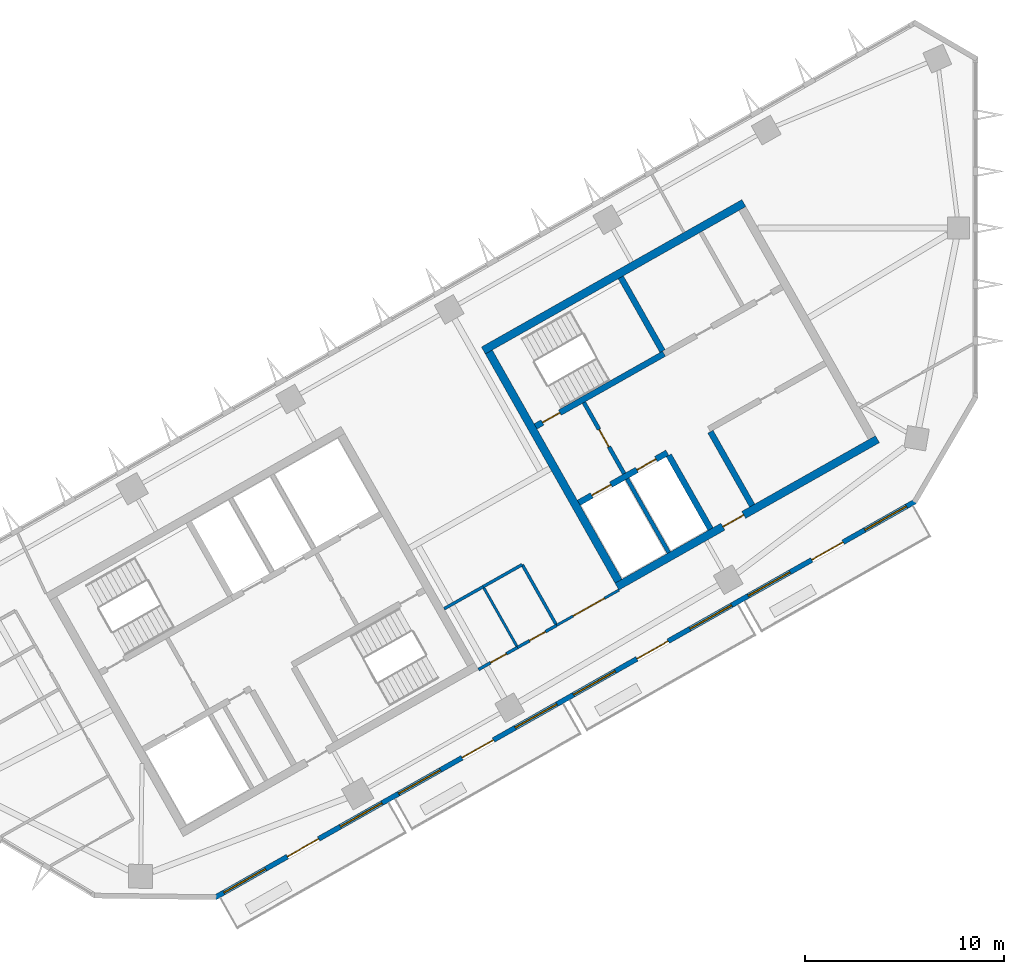
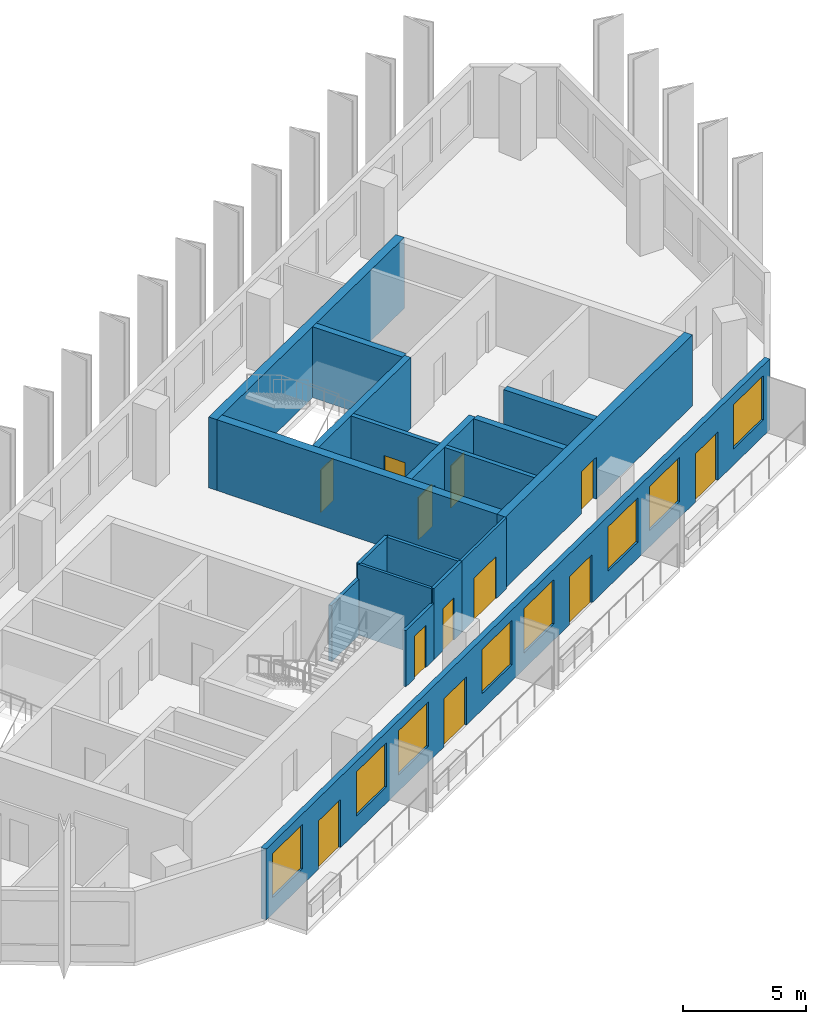
# One storey, part 4 of 8: 18 walls, 12 doors, 8 windows, 20 openings.
"""IFC4 building model written with IfcOpenShell, lengths in metres."""

from ifc_helpers import new_model, si_unit, direction, frame, frame_2d, origin, place, context, subcontext, project, spatial, rectangle, extrude, material, layer, layer_set, type_object, element, fill, save


model = new_model("IFC4")

# Units and contexts
model_context = context("Model", 3, precision=1e-05, world=origin(), true_north=direction((0.0, 1.0)))
body_context = subcontext(model_context, "Body", "Model", "MODEL_VIEW")
ifc_project = project(units=[si_unit("LENGTHUNIT", "METRE"), si_unit("AREAUNIT", "SQUARE_METRE"), si_unit("VOLUMEUNIT", "CUBIC_METRE"), si_unit("PLANEANGLEUNIT", "RADIAN"), si_unit("MASSUNIT", "GRAM", prefix="KILO")], contexts=[model_context])

# Site, building, storey
site_placement = place(None, origin())
site = spatial("IfcSite", under=ifc_project, at=site_placement, CompositionType="ELEMENT")
building_placement = place(site_placement, origin())
building = spatial("IfcBuilding", under=site, at=building_placement, Name="Binnacle Exchange Tower", CompositionType="ELEMENT")
storey_placement = place(building_placement, frame((0.0, 0.0, 300.699951171875)))
storey = spatial("IfcBuildingStorey", under=building, at=storey_placement, Name="L67", CompositionType="ELEMENT", Elevation=300.699951171875)

# Wall, openings, doors
ifc_material_1 = material(Name="Concrete C70/85", Category="concrete")
ifc_layer_1 = layer(ifc_material_1, 0.300048828125)
ifc_layer_set_1 = layer_set([ifc_layer_1], Name="Core wall - front 300")
wall_type_1 = type_object("IfcWallType", Name="Core wall - front 300", PredefinedType="SOLIDWALL", material=ifc_layer_set_1)
wall_1_placement = place(storey_placement, frame((-19.89208984375, 46.2177734375, 0.0), z_axis=(0.0, 0.0, 1.0), x_axis=(0.870341639186, 0.492448404505, 0.0)))
wall_1 = element("IfcWall", 1, at=wall_1_placement, inside=storey, type_object=wall_type_1, Name="Core wall CRWC2", PredefinedType="SOLIDWALL", context=body_context, shape_type="SweptSolid", body=[
    extrude(rectangle(XDim=5.099853515625, YDim=0.300048828125, at=frame_2d((2.5498046875, 0.0))), origin(), (0.0, 0.0, 1.0), 3.52001953125),
])
opening_1_placement = place(wall_1_placement, frame((0.75, 0.0, 0.0)))
opening_1 = element("IfcOpeningElement", 2, at=opening_1_placement, cuts=wall_1, Name="Opening LD14", PredefinedType="OPENING", context=body_context, shape_type="SweptSolid", body=[
    extrude(rectangle(XDim=1.10009765625, YDim=2.10009765625, at=frame_2d((0.550048828125, 1.050048828125))), frame((0.0, 0.159912109375, 0.0), z_axis=(0.0, -1.0, 0.0), x_axis=(1.0, 0.0, 0.0)), (0.0, 0.0, 1.0), 0.320068359375),
])
opening_2_placement = place(wall_1_placement, frame((3.35009765625, 0.0, 0.0)))
opening_2 = element("IfcOpeningElement", 3, at=opening_2_placement, cuts=wall_1, Name="Opening LD11", PredefinedType="OPENING", context=body_context, shape_type="SweptSolid", body=[
    extrude(rectangle(XDim=1.10009765625, YDim=2.10009765625, at=frame_2d((0.550048828125, 1.050048828125))), frame((0.0, 0.159912109375, 0.0), z_axis=(0.0, -1.0, 0.0), x_axis=(1.0, 0.0, 0.0)), (0.0, 0.0, 1.0), 0.320068359375),
])
ifc_material_2 = material(Name="Steel door leaf", Category="steel")
door_type_1 = type_object("IfcDoorType", Name="Fire door - lift landing 1100", OperationType="NOTDEFINED", PredefinedType="DOOR", material=ifc_material_2)
door_1_placement = place(opening_1_placement, origin())
door_1 = element("IfcDoor", 4, at=door_1_placement, inside=storey, type_object=door_type_1, Name="Landing door LD14 L67", OperationType="DOUBLE_DOOR_SLIDING", OverallHeight=2.10009765625, OverallWidth=1.10009765625, PredefinedType="DOOR", context=body_context, shape_type="SweptSolid", body=[
    extrude(rectangle(XDim=1.10009765625, YDim=2.10009765625, at=frame_2d((0.550048828125, 1.050048828125))), frame((0.0, 0.02490234375, 0.0), z_axis=(0.0, -1.0, 0.0), x_axis=(1.0, 0.0, 0.0)), (0.0, 0.0, 1.0), 0.050048828125),
])
fill(opening_1, door_1)
door_2_placement = place(opening_2_placement, origin())
door_2 = element("IfcDoor", 5, at=door_2_placement, inside=storey, type_object=door_type_1, Name="Landing door LD11 L67", OperationType="DOUBLE_DOOR_SLIDING", OverallHeight=2.10009765625, OverallWidth=1.10009765625, PredefinedType="DOOR", context=body_context, shape_type="SweptSolid", body=[
    extrude(rectangle(XDim=1.10009765625, YDim=2.10009765625, at=frame_2d((0.550048828125, 1.050048828125))), frame((0.0, 0.02490234375, 0.0), z_axis=(0.0, -1.0, 0.0), x_axis=(1.0, 0.0, 0.0)), (0.0, 0.0, 1.0), 0.050048828125),
])
fill(opening_2, door_2)

# Walls
wall_2_placement = place(storey_placement, frame((-15.37939453125, 48.5986328125, 0.0), z_axis=(0.0, 0.0, 1.0), x_axis=(0.492422543467, -0.870356271124, 0.0)))
element("IfcWall", 6, at=wall_2_placement, inside=storey, type_object=wall_type_1, Name="Core wall CRWC13", PredefinedType="SOLIDWALL", context=body_context, shape_type="SweptSolid", body=[
    extrude(rectangle(XDim=4.25, YDim=0.300048828125, at=frame_2d((2.125, 0.0))), origin(), (0.0, 0.0, 1.0), 3.52001953125),
])
wall_3_placement = place(storey_placement, frame((-13.29052734375, 49.780517578125, 0.0), z_axis=(0.0, 0.0, 1.0), x_axis=(0.492397924348, -0.870370199454, 0.0)))
element("IfcWall", 7, at=wall_3_placement, inside=storey, type_object=wall_type_1, Name="Core wall CRWC15", PredefinedType="SOLIDWALL", context=body_context, shape_type="SweptSolid", body=[
    extrude(rectangle(XDim=4.250244140625, YDim=0.300048828125, at=frame_2d((2.125, 0.0))), origin(), (0.0, 0.0, 1.0), 3.52001953125),
])

# Wall, opening, door
ifc_layer_2 = layer(ifc_material_1, 0.39990234375)
ifc_layer_set_2 = layer_set([ifc_layer_2], Name="Core wall - outer 400")
wall_type_2 = type_object("IfcWallType", Name="Core wall - outer 400", PredefinedType="SOLIDWALL", material=ifc_layer_set_2)
wall_4_placement = place(storey_placement, frame((-17.97509765625, 42.01708984375, 0.0), z_axis=(0.0, 0.0, 1.0), x_axis=(0.87034965173, 0.492434243055, 0.0)))
wall_4 = element("IfcWall", 8, at=wall_4_placement, inside=storey, type_object=wall_type_2, Name="Core wall CRWC1", PredefinedType="SOLIDWALL", context=body_context, shape_type="SweptSolid", body=[
    extrude(rectangle(XDim=15.0, YDim=0.39990234375, at=frame_2d((7.5, 0.0))), origin(), (0.0, 0.0, 1.0), 3.52001953125),
])
opening_3_placement = place(wall_4_placement, frame((6.10009765625, 0.0, 0.0)))
opening_3 = element("IfcOpeningElement", 9, at=opening_3_placement, cuts=wall_4, Name="Opening DC7", PredefinedType="OPENING", context=body_context, shape_type="SweptSolid", body=[
    extrude(rectangle(XDim=1.199951171875, YDim=2.10009765625, at=frame_2d((0.60009765625, 1.050048828125))), frame((0.0, 0.2099609375, 0.0), z_axis=(0.0, -1.0, 0.0), x_axis=(1.0, 0.0, 0.0)), (0.0, 0.0, 1.0), 0.419921875),
])
door_type_2 = type_object("IfcDoorType", Name="Fire door 1200", OperationType="NOTDEFINED", PredefinedType="DOOR", material=ifc_material_2)
door_3_placement = place(opening_3_placement, frame((1.199951171875, 0.0, 0.0), z_axis=(0.0, 0.0, 1.0), x_axis=(-1.0, 0.0, 0.0)))
door_3 = element("IfcDoor", 10, at=door_3_placement, inside=storey, type_object=door_type_2, Name="Lift lobby entrance door core C", OperationType="SINGLE_SWING_RIGHT", OverallHeight=2.10009765625, OverallWidth=1.199951171875, PredefinedType="DOOR", context=body_context, shape_type="SweptSolid", body=[
    extrude(rectangle(XDim=1.199951171875, YDim=2.10009765625, at=frame_2d((0.60009765625, 1.050048828125))), frame((0.0, 0.02490234375, 0.0), z_axis=(0.0, -1.0, 0.0), x_axis=(1.0, 0.0, 0.0)), (0.0, 0.0, 1.0), 0.050048828125),
])
fill(opening_3, door_3)

# Walls
wall_5_placement = place(storey_placement, frame((-24.672119140625, 53.85400390625, 0.0), z_axis=(0.0, 0.0, 1.0), x_axis=(0.870353598469, 0.492427267353, 0.0)))
element("IfcWall", 11, at=wall_5_placement, inside=storey, type_object=wall_type_2, Name="Core wall CRWC6", PredefinedType="SOLIDWALL", context=body_context, shape_type="SweptSolid", body=[
    extrude(rectangle(XDim=15.000244140625, YDim=0.39990234375, at=frame_2d((7.5, 0.0))), origin(), (0.0, 0.0, 1.0), 3.52001953125),
])
wall_6_placement = place(storey_placement, frame((-24.399658203125, 53.778564453125, 0.0), z_axis=(0.0, 0.0, 1.0), x_axis=(0.492421663121, -0.870356769198, 0.0)))
element("IfcWall", 12, at=wall_6_placement, inside=storey, type_object=wall_type_2, Name="Core wall CRWC7", PredefinedType="SOLIDWALL", context=body_context, shape_type="SweptSolid", body=[
    extrude(rectangle(XDim=13.199951171875, YDim=0.39990234375, at=frame_2d((6.60009765625, 0.0))), origin(), (0.0, 0.0, 1.0), 3.52001953125),
])

# Wall, opening, door
ifc_layer_3 = layer(ifc_material_1, 0.300048828125)
ifc_layer_set_3 = layer_set([ifc_layer_3], Name="Core wall - stair 300")
wall_type_3 = type_object("IfcWallType", Name="Core wall - stair 300", PredefinedType="SOLIDWALL", material=ifc_layer_set_3)
wall_7_placement = place(storey_placement, frame((-22.058837890625, 50.04736328125, 0.0), z_axis=(0.0, 0.0, 1.0), x_axis=(0.87035077051, 0.49243226567, 0.0)))
wall_7 = element("IfcWall", 13, at=wall_7_placement, inside=storey, type_object=wall_type_3, Name="Core wall CRWC4", PredefinedType="SOLIDWALL", context=body_context, shape_type="SweptSolid", body=[
    extrude(rectangle(XDim=7.400146484375, YDim=0.300048828125, at=frame_2d((3.7001953125, 0.0))), origin(), (0.0, 0.0, 1.0), 3.52001953125),
])
opening_4_placement = place(wall_7_placement, frame((0.39990234375, 0.0, 0.0)))
opening_4 = element("IfcOpeningElement", 14, at=opening_4_placement, cuts=wall_7, Name="Opening DC1", PredefinedType="OPENING", context=body_context, shape_type="SweptSolid", body=[
    extrude(rectangle(XDim=1.0, YDim=2.10009765625, at=frame_2d((0.5, 1.050048828125))), frame((0.0, 0.159912109375, 0.0), z_axis=(0.0, -1.0, 0.0), x_axis=(1.0, 0.0, 0.0)), (0.0, 0.0, 1.0), 0.320068359375),
])
door_type_3 = type_object("IfcDoorType", Name="Fire door 1000", OperationType="NOTDEFINED", PredefinedType="DOOR", material=ifc_material_2)
door_4_placement = place(opening_4_placement, origin())
door_4 = element("IfcDoor", 15, at=door_4_placement, inside=storey, type_object=door_type_3, Name="Stair door ST-C1", OperationType="SINGLE_SWING_LEFT", OverallHeight=2.10009765625, OverallWidth=1.0, PredefinedType="DOOR", context=body_context, shape_type="SweptSolid", body=[
    extrude(rectangle(XDim=1.0, YDim=2.10009765625, at=frame_2d((0.5, 1.050048828125))), frame((0.0, 0.02490234375, 0.0), z_axis=(0.0, -1.0, 0.0), x_axis=(1.0, 0.0, 0.0)), (0.0, 0.0, 1.0), 0.050048828125),
])
fill(opening_4, door_4)

# Wall
wall_8_placement = place(storey_placement, frame((-17.784912109375, 57.52099609375, 0.0), z_axis=(0.0, 0.0, 1.0), x_axis=(0.492422543467, -0.870356271124, 0.0)))
element("IfcWall", 16, at=wall_8_placement, inside=storey, type_object=wall_type_3, Name="Core wall CRWC14", PredefinedType="SOLIDWALL", context=body_context, shape_type="SweptSolid", body=[
    extrude(rectangle(XDim=4.25, YDim=0.300048828125, at=frame_2d((2.125, 0.0))), origin(), (0.0, 0.0, 1.0), 3.52001953125),
])

# Wall, openings, doors, windows
ifc_material_3 = material(Name="Bronze aluminium cladding", Category="aluminium")
ifc_layer_4 = layer(ifc_material_3, 0.25)
ifc_layer_set_4 = layer_set([ifc_layer_4], Name="External wall - window wall 250")
wall_type_4 = type_object("IfcWallType", Name="External wall - window wall 250", PredefinedType="STANDARD", material=ifc_layer_set_4)
wall_9_placement = place(storey_placement, frame((-3.016845703125, 46.293212890625, 0.0), z_axis=(0.0, 0.0, 1.0), x_axis=(-0.870355474887, -0.492423950812, 0.0)))
wall_9 = element("IfcWall", 17, at=wall_9_placement, inside=storey, type_object=wall_type_4, Name="External wall EW-H07 L67", PredefinedType="STANDARD", context=body_context, shape_type="SweptSolid", body=[
    extrude(rectangle(XDim=40.34033203125, YDim=0.25, at=frame_2d((20.170166015625, 0.0))), origin(), (0.0, 0.0, 1.0), 3.52001953125),
])
opening_5_placement = place(wall_9_placement, frame((37.428466796875, 0.0, 0.800048828125)))
opening_5 = element("IfcOpeningElement", 18, at=opening_5_placement, cuts=wall_9, Name="Opening WR2", PredefinedType="OPENING", context=body_context, shape_type="SweptSolid", body=[
    extrude(rectangle(XDim=2.39990234375, YDim=2.199951171875, at=frame_2d((1.199951171875, 1.10009765625))), frame((0.0, 0.135009765625, 0.0), z_axis=(0.0, -1.0, 0.0), x_axis=(1.0, 0.0, 0.0)), (0.0, 0.0, 1.0), 0.27001953125),
])
opening_6_placement = place(wall_9_placement, frame((34.372314453125, 0.0, 0.0)))
opening_6 = element("IfcOpeningElement", 19, at=opening_6_placement, cuts=wall_9, Name="Opening D-FS20-01", PredefinedType="OPENING", context=body_context, shape_type="SweptSolid", body=[
    extrude(rectangle(XDim=1.800048828125, YDim=2.39990234375, at=frame_2d((0.89990234375, 1.199951171875))), frame((0.0, 0.135009765625, 0.0), z_axis=(0.0, -1.0, 0.0), x_axis=(1.0, 0.0, 0.0)), (0.0, 0.0, 1.0), 0.27001953125),
])
opening_7_placement = place(wall_9_placement, frame((30.71630859375, 0.0, 0.800048828125)))
opening_7 = element("IfcOpeningElement", 20, at=opening_7_placement, cuts=wall_9, Name="Opening WR2", PredefinedType="OPENING", context=body_context, shape_type="SweptSolid", body=[
    extrude(rectangle(XDim=2.39990234375, YDim=2.199951171875, at=frame_2d((1.199951171875, 1.10009765625))), frame((0.0, 0.135009765625, 0.0), z_axis=(0.0, -1.0, 0.0), x_axis=(1.0, 0.0, 0.0)), (0.0, 0.0, 1.0), 0.27001953125),
])
opening_8_placement = place(wall_9_placement, frame((27.3603515625, 0.0, 0.800048828125)))
opening_8 = element("IfcOpeningElement", 21, at=opening_8_placement, cuts=wall_9, Name="Opening WR2", PredefinedType="OPENING", context=body_context, shape_type="SweptSolid", body=[
    extrude(rectangle(XDim=2.39990234375, YDim=2.199951171875, at=frame_2d((1.199951171875, 1.10009765625))), frame((0.0, 0.135009765625, 0.0), z_axis=(0.0, -1.0, 0.0), x_axis=(1.0, 0.0, 0.0)), (0.0, 0.0, 1.0), 0.27001953125),
])
opening_9_placement = place(wall_9_placement, frame((24.30419921875, 0.0, 0.0)))
opening_9 = element("IfcOpeningElement", 22, at=opening_9_placement, cuts=wall_9, Name="Opening D-FS20-02", PredefinedType="OPENING", context=body_context, shape_type="SweptSolid", body=[
    extrude(rectangle(XDim=1.800048828125, YDim=2.39990234375, at=frame_2d((0.89990234375, 1.199951171875))), frame((0.0, 0.135009765625, 0.0), z_axis=(0.0, -1.0, 0.0), x_axis=(1.0, 0.0, 0.0)), (0.0, 0.0, 1.0), 0.27001953125),
])
opening_10_placement = place(wall_9_placement, frame((20.648193359375, 0.0, 0.800048828125)))
opening_10 = element("IfcOpeningElement", 23, at=opening_10_placement, cuts=wall_9, Name="Opening WR2", PredefinedType="OPENING", context=body_context, shape_type="SweptSolid", body=[
    extrude(rectangle(XDim=2.39990234375, YDim=2.199951171875, at=frame_2d((1.199951171875, 1.10009765625))), frame((0.0, 0.135009765625, 0.0), z_axis=(0.0, -1.0, 0.0), x_axis=(1.0, 0.0, 0.0)), (0.0, 0.0, 1.0), 0.27001953125),
])
opening_11_placement = place(wall_9_placement, frame((17.2919921875, 0.0, 0.800048828125)))
opening_11 = element("IfcOpeningElement", 24, at=opening_11_placement, cuts=wall_9, Name="Opening WR2", PredefinedType="OPENING", context=body_context, shape_type="SweptSolid", body=[
    extrude(rectangle(XDim=2.39990234375, YDim=2.199951171875, at=frame_2d((1.199951171875, 1.10009765625))), frame((0.0, 0.135009765625, 0.0), z_axis=(0.0, -1.0, 0.0), x_axis=(1.0, 0.0, 0.0)), (0.0, 0.0, 1.0), 0.27001953125),
])
opening_12_placement = place(wall_9_placement, frame((14.236083984375, 0.0, 0.0)))
opening_12 = element("IfcOpeningElement", 25, at=opening_12_placement, cuts=wall_9, Name="Opening D-FS20-03", PredefinedType="OPENING", context=body_context, shape_type="SweptSolid", body=[
    extrude(rectangle(XDim=1.800048828125, YDim=2.39990234375, at=frame_2d((0.89990234375, 1.199951171875))), frame((0.0, 0.135009765625, 0.0), z_axis=(0.0, -1.0, 0.0), x_axis=(1.0, 0.0, 0.0)), (0.0, 0.0, 1.0), 0.27001953125),
])
opening_13_placement = place(wall_9_placement, frame((10.580078125, 0.0, 0.800048828125)))
opening_13 = element("IfcOpeningElement", 26, at=opening_13_placement, cuts=wall_9, Name="Opening WR2", PredefinedType="OPENING", context=body_context, shape_type="SweptSolid", body=[
    extrude(rectangle(XDim=2.39990234375, YDim=2.199951171875, at=frame_2d((1.199951171875, 1.10009765625))), frame((0.0, 0.135009765625, 0.0), z_axis=(0.0, -1.0, 0.0), x_axis=(1.0, 0.0, 0.0)), (0.0, 0.0, 1.0), 0.27001953125),
])
opening_14_placement = place(wall_9_placement, frame((7.223876953125, 0.0, 0.800048828125)))
opening_14 = element("IfcOpeningElement", 27, at=opening_14_placement, cuts=wall_9, Name="Opening WR2", PredefinedType="OPENING", context=body_context, shape_type="SweptSolid", body=[
    extrude(rectangle(XDim=2.39990234375, YDim=2.199951171875, at=frame_2d((1.199951171875, 1.10009765625))), frame((0.0, 0.135009765625, 0.0), z_axis=(0.0, -1.0, 0.0), x_axis=(1.0, 0.0, 0.0)), (0.0, 0.0, 1.0), 0.27001953125),
])
opening_15_placement = place(wall_9_placement, frame((4.16796875, 0.0, 0.0)))
opening_15 = element("IfcOpeningElement", 28, at=opening_15_placement, cuts=wall_9, Name="Opening D-FS20-04", PredefinedType="OPENING", context=body_context, shape_type="SweptSolid", body=[
    extrude(rectangle(XDim=1.800048828125, YDim=2.39990234375, at=frame_2d((0.89990234375, 1.199951171875))), frame((0.0, 0.135009765625, 0.0), z_axis=(0.0, -1.0, 0.0), x_axis=(1.0, 0.0, 0.0)), (0.0, 0.0, 1.0), 0.27001953125),
])
opening_16_placement = place(wall_9_placement, frame((0.51171875, 0.0, 0.800048828125)))
opening_16 = element("IfcOpeningElement", 29, at=opening_16_placement, cuts=wall_9, Name="Opening WR2", PredefinedType="OPENING", context=body_context, shape_type="SweptSolid", body=[
    extrude(rectangle(XDim=2.39990234375, YDim=2.199951171875, at=frame_2d((1.199951171875, 1.10009765625))), frame((0.0, 0.135009765625, 0.0), z_axis=(0.0, -1.0, 0.0), x_axis=(1.0, 0.0, 0.0)), (0.0, 0.0, 1.0), 0.27001953125),
])
ifc_material_4 = material(Name="Bronze anodised aluminium frame", Category="aluminium")
door_type_4 = type_object("IfcDoorType", Name="DB DOOR 1800x2400", OperationType="DOUBLE_DOOR_SINGLE_SWING", PredefinedType="DOOR", material=ifc_material_4)
door_5_placement = place(opening_6_placement, origin())
door_5 = element("IfcDoor", 30, at=door_5_placement, inside=storey, type_object=door_type_4, Name="Door D-FS20-01 L67", OperationType="DOUBLE_DOOR_SINGLE_SWING", OverallHeight=2.39990234375, OverallWidth=1.800048828125, PredefinedType="DOOR", context=body_context, shape_type="SweptSolid", body=[
    extrude(rectangle(XDim=1.800048828125, YDim=2.39990234375, at=frame_2d((0.89990234375, 1.199951171875))), frame((0.0, 0.02490234375, 0.0), z_axis=(0.0, -1.0, 0.0), x_axis=(1.0, 0.0, 0.0)), (0.0, 0.0, 1.0), 0.050048828125),
])
fill(opening_6, door_5)
door_6_placement = place(opening_9_placement, origin())
door_6 = element("IfcDoor", 31, at=door_6_placement, inside=storey, type_object=door_type_4, Name="Door D-FS20-02 L67", OperationType="DOUBLE_DOOR_SINGLE_SWING", OverallHeight=2.39990234375, OverallWidth=1.800048828125, PredefinedType="DOOR", context=body_context, shape_type="SweptSolid", body=[
    extrude(rectangle(XDim=1.800048828125, YDim=2.39990234375, at=frame_2d((0.89990234375, 1.199951171875))), frame((0.0, 0.02490234375, 0.0), z_axis=(0.0, -1.0, 0.0), x_axis=(1.0, 0.0, 0.0)), (0.0, 0.0, 1.0), 0.050048828125),
])
fill(opening_9, door_6)
door_7_placement = place(opening_12_placement, origin())
door_7 = element("IfcDoor", 32, at=door_7_placement, inside=storey, type_object=door_type_4, Name="Door D-FS20-03 L67", OperationType="DOUBLE_DOOR_SINGLE_SWING", OverallHeight=2.39990234375, OverallWidth=1.800048828125, PredefinedType="DOOR", context=body_context, shape_type="SweptSolid", body=[
    extrude(rectangle(XDim=1.800048828125, YDim=2.39990234375, at=frame_2d((0.89990234375, 1.199951171875))), frame((0.0, 0.02490234375, 0.0), z_axis=(0.0, -1.0, 0.0), x_axis=(1.0, 0.0, 0.0)), (0.0, 0.0, 1.0), 0.050048828125),
])
fill(opening_12, door_7)
door_8_placement = place(opening_15_placement, origin())
door_8 = element("IfcDoor", 33, at=door_8_placement, inside=storey, type_object=door_type_4, Name="Door D-FS20-04 L67", OperationType="DOUBLE_DOOR_SINGLE_SWING", OverallHeight=2.39990234375, OverallWidth=1.800048828125, PredefinedType="DOOR", context=body_context, shape_type="SweptSolid", body=[
    extrude(rectangle(XDim=1.800048828125, YDim=2.39990234375, at=frame_2d((0.89990234375, 1.199951171875))), frame((0.0, 0.02490234375, 0.0), z_axis=(0.0, -1.0, 0.0), x_axis=(1.0, 0.0, 0.0)), (0.0, 0.0, 1.0), 0.050048828125),
])
fill(opening_15, door_8)
window_type = type_object("IfcWindowType", Name="WR2 WINDOW 2400x2200", PartitioningType="SINGLE_PANEL", PredefinedType="WINDOW", material=ifc_material_4)
window_1_placement = place(opening_5_placement, origin())
window_1 = element("IfcWindow", 34, at=window_1_placement, inside=storey, type_object=window_type, Name="Window WR2 L67", OverallHeight=2.199951171875, OverallWidth=2.39990234375, PartitioningType="SINGLE_PANEL", PredefinedType="WINDOW", context=body_context, shape_type="SweptSolid", body=[
    extrude(rectangle(XDim=2.39990234375, YDim=2.199951171875, at=frame_2d((1.199951171875, 1.10009765625))), frame((0.0, 0.030029296875, 0.0), z_axis=(0.0, -1.0, 0.0), x_axis=(1.0, 0.0, 0.0)), (0.0, 0.0, 1.0), 0.06005859375),
])
fill(opening_5, window_1)
window_2_placement = place(opening_7_placement, origin())
window_2 = element("IfcWindow", 35, at=window_2_placement, inside=storey, type_object=window_type, Name="Window WR2 L67", OverallHeight=2.199951171875, OverallWidth=2.39990234375, PartitioningType="SINGLE_PANEL", PredefinedType="WINDOW", context=body_context, shape_type="SweptSolid", body=[
    extrude(rectangle(XDim=2.39990234375, YDim=2.199951171875, at=frame_2d((1.199951171875, 1.10009765625))), frame((0.0, 0.030029296875, 0.0), z_axis=(0.0, -1.0, 0.0), x_axis=(1.0, 0.0, 0.0)), (0.0, 0.0, 1.0), 0.06005859375),
])
fill(opening_7, window_2)
window_3_placement = place(opening_8_placement, origin())
window_3 = element("IfcWindow", 36, at=window_3_placement, inside=storey, type_object=window_type, Name="Window WR2 L67", OverallHeight=2.199951171875, OverallWidth=2.39990234375, PartitioningType="SINGLE_PANEL", PredefinedType="WINDOW", context=body_context, shape_type="SweptSolid", body=[
    extrude(rectangle(XDim=2.39990234375, YDim=2.199951171875, at=frame_2d((1.199951171875, 1.10009765625))), frame((0.0, 0.030029296875, 0.0), z_axis=(0.0, -1.0, 0.0), x_axis=(1.0, 0.0, 0.0)), (0.0, 0.0, 1.0), 0.06005859375),
])
fill(opening_8, window_3)
window_4_placement = place(opening_10_placement, origin())
window_4 = element("IfcWindow", 37, at=window_4_placement, inside=storey, type_object=window_type, Name="Window WR2 L67", OverallHeight=2.199951171875, OverallWidth=2.39990234375, PartitioningType="SINGLE_PANEL", PredefinedType="WINDOW", context=body_context, shape_type="SweptSolid", body=[
    extrude(rectangle(XDim=2.39990234375, YDim=2.199951171875, at=frame_2d((1.199951171875, 1.10009765625))), frame((0.0, 0.030029296875, 0.0), z_axis=(0.0, -1.0, 0.0), x_axis=(1.0, 0.0, 0.0)), (0.0, 0.0, 1.0), 0.06005859375),
])
fill(opening_10, window_4)
window_5_placement = place(opening_11_placement, origin())
window_5 = element("IfcWindow", 38, at=window_5_placement, inside=storey, type_object=window_type, Name="Window WR2 L67", OverallHeight=2.199951171875, OverallWidth=2.39990234375, PartitioningType="SINGLE_PANEL", PredefinedType="WINDOW", context=body_context, shape_type="SweptSolid", body=[
    extrude(rectangle(XDim=2.39990234375, YDim=2.199951171875, at=frame_2d((1.199951171875, 1.10009765625))), frame((0.0, 0.030029296875, 0.0), z_axis=(0.0, -1.0, 0.0), x_axis=(1.0, 0.0, 0.0)), (0.0, 0.0, 1.0), 0.06005859375),
])
fill(opening_11, window_5)
window_6_placement = place(opening_13_placement, origin())
window_6 = element("IfcWindow", 39, at=window_6_placement, inside=storey, type_object=window_type, Name="Window WR2 L67", OverallHeight=2.199951171875, OverallWidth=2.39990234375, PartitioningType="SINGLE_PANEL", PredefinedType="WINDOW", context=body_context, shape_type="SweptSolid", body=[
    extrude(rectangle(XDim=2.39990234375, YDim=2.199951171875, at=frame_2d((1.199951171875, 1.10009765625))), frame((0.0, 0.030029296875, 0.0), z_axis=(0.0, -1.0, 0.0), x_axis=(1.0, 0.0, 0.0)), (0.0, 0.0, 1.0), 0.06005859375),
])
fill(opening_13, window_6)
window_7_placement = place(opening_14_placement, origin())
window_7 = element("IfcWindow", 40, at=window_7_placement, inside=storey, type_object=window_type, Name="Window WR2 L67", OverallHeight=2.199951171875, OverallWidth=2.39990234375, PartitioningType="SINGLE_PANEL", PredefinedType="WINDOW", context=body_context, shape_type="SweptSolid", body=[
    extrude(rectangle(XDim=2.39990234375, YDim=2.199951171875, at=frame_2d((1.199951171875, 1.10009765625))), frame((0.0, 0.030029296875, 0.0), z_axis=(0.0, -1.0, 0.0), x_axis=(1.0, 0.0, 0.0)), (0.0, 0.0, 1.0), 0.06005859375),
])
fill(opening_14, window_7)
window_8_placement = place(opening_16_placement, origin())
window_8 = element("IfcWindow", 41, at=window_8_placement, inside=storey, type_object=window_type, Name="Window WR2 L67", OverallHeight=2.199951171875, OverallWidth=2.39990234375, PartitioningType="SINGLE_PANEL", PredefinedType="WINDOW", context=body_context, shape_type="SweptSolid", body=[
    extrude(rectangle(XDim=2.39990234375, YDim=2.199951171875, at=frame_2d((1.199951171875, 1.10009765625))), frame((0.0, 0.030029296875, 0.0), z_axis=(0.0, -1.0, 0.0), x_axis=(1.0, 0.0, 0.0)), (0.0, 0.0, 1.0), 0.06005859375),
])
fill(opening_16, window_8)

# Wall, opening, door
ifc_material_5 = material(Name="Masonry block wall", Category="masonry")
ifc_layer_5 = layer(ifc_material_5, 0.199951171875)
ifc_layer_set_5 = layer_set([ifc_layer_5], Name="Fire wall - vestibule 200")
wall_type_5 = type_object("IfcWallType", Name="Fire wall - vestibule 200", PredefinedType="PARTITIONING", material=ifc_layer_set_5)
wall_10_placement = place(storey_placement, frame((-19.635009765625, 51.246337890625, 0.0), z_axis=(0.0, 0.0, 1.0), x_axis=(0.492408451753, -0.87036424366, 0.0)))
wall_10 = element("IfcWall", 42, at=wall_10_placement, inside=storey, type_object=wall_type_5, Name="Core wall CRWC10", PredefinedType="PARTITIONING", context=body_context, shape_type="SweptSolid", body=[
    extrude(rectangle(XDim=4.099853515625, YDim=0.199951171875, at=frame_2d((2.0498046875, 0.0))), origin(), (0.0, 0.0, 1.0), 3.52001953125),
])
opening_17_placement = place(wall_10_placement, frame((1.550048828125, 0.0, 0.0)))
opening_17 = element("IfcOpeningElement", 43, at=opening_17_placement, cuts=wall_10, Name="Opening DC3", PredefinedType="OPENING", context=body_context, shape_type="SweptSolid", body=[
    extrude(rectangle(XDim=1.0, YDim=2.10009765625, at=frame_2d((0.5, 1.050048828125))), frame((0.0, 0.10986328125, 0.0), z_axis=(0.0, -1.0, 0.0), x_axis=(1.0, 0.0, 0.0)), (0.0, 0.0, 1.0), 0.219970703125),
])
door_9_placement = place(opening_17_placement, frame((1.0, 0.0, 0.0), z_axis=(0.0, 0.0, 1.0), x_axis=(-1.0, 0.0, 0.0)))
door_9 = element("IfcDoor", 44, at=door_9_placement, inside=storey, type_object=door_type_3, Name="Vestibule door VEST-W", OperationType="SINGLE_SWING_RIGHT", OverallHeight=2.10009765625, OverallWidth=1.0, PredefinedType="DOOR", context=body_context, shape_type="SweptSolid", body=[
    extrude(rectangle(XDim=1.0, YDim=2.10009765625, at=frame_2d((0.5, 1.050048828125))), frame((0.0, 0.02490234375, 0.0), z_axis=(0.0, -1.0, 0.0), x_axis=(1.0, 0.0, 0.0)), (0.0, 0.0, 1.0), 0.050048828125),
])
fill(opening_17, door_9)

# Wall
ifc_material_6 = material(Name="Gypsum partition fire rated")
ifc_layer_6 = layer(ifc_material_6, 0.14990234375)
ifc_layer_set_6 = layer_set([ifc_layer_6], Name="Fire-rated partition 150")
wall_type_6 = type_object("IfcWallType", Name="Fire-rated partition 150", PredefinedType="PARTITIONING", material=ifc_layer_set_6)
wall_11_placement = place(storey_placement, frame((-26.64208984375, 40.905029296875, 0.0), z_axis=(0.0, 0.0, 1.0), x_axis=(0.870332332106, 0.492464853254, 0.0)))
element("IfcWall", 45, at=wall_11_placement, inside=storey, type_object=wall_type_6, Name="Partition W12", PredefinedType="PARTITIONING", context=body_context, shape_type="SweptSolid", body=[
    extrude(rectangle(XDim=2.249755859375, YDim=0.14990234375, at=frame_2d((1.125, 0.0))), origin(), (0.0, 0.0, 1.0), 2.7919921875),
])

# Wall, opening, door
wall_12_placement = place(storey_placement, frame((-24.9189453125, 37.85888671875, 0.0), z_axis=(0.0, 0.0, 1.0), x_axis=(0.870391061957, 0.492361045641, 0.0)))
wall_12 = element("IfcWall", 46, at=wall_12_placement, inside=storey, type_object=wall_type_6, Name="Partition W13", PredefinedType="PARTITIONING", context=body_context, shape_type="SweptSolid", body=[
    extrude(rectangle(XDim=2.250732421875, YDim=0.14990234375, at=frame_2d((1.12548828125, 0.0))), origin(), (0.0, 0.0, 1.0), 2.7919921875),
])
opening_18_placement = place(wall_12_placement, frame((0.699951171875, 0.0, 0.0)))
opening_18 = element("IfcOpeningElement", 47, at=opening_18_placement, cuts=wall_12, Name="Opening DL65-05", PredefinedType="OPENING", context=body_context, shape_type="SweptSolid", body=[
    extrude(rectangle(XDim=0.89990234375, YDim=2.10009765625, at=frame_2d((0.449951171875, 1.050048828125))), frame((0.0, 0.0849609375, 0.0), z_axis=(0.0, -1.0, 0.0), x_axis=(1.0, 0.0, 0.0)), (0.0, 0.0, 1.0), 0.169921875),
])
door_type_5 = type_object("IfcDoorType", Name="Fire door 900", OperationType="NOTDEFINED", PredefinedType="DOOR", material=ifc_material_2)
door_10_placement = place(opening_18_placement, origin())
door_10 = element("IfcDoor", 48, at=door_10_placement, inside=storey, type_object=door_type_5, Name="Door DL65-05", OperationType="SINGLE_SWING_RIGHT", OverallHeight=2.10009765625, OverallWidth=0.89990234375, PredefinedType="DOOR", context=body_context, shape_type="SweptSolid", body=[
    extrude(rectangle(XDim=0.89990234375, YDim=2.10009765625, at=frame_2d((0.449951171875, 1.050048828125))), frame((0.0, 0.02490234375, 0.0), z_axis=(0.0, -1.0, 0.0), x_axis=(1.0, 0.0, 0.0)), (0.0, 0.0, 1.0), 0.050048828125),
])
fill(opening_18, door_10)

# Wall
wall_13_placement = place(storey_placement, frame((-24.68408203125, 42.012939453125, 0.0), z_axis=(0.0, 0.0, 1.0), x_axis=(0.870285818058, 0.4925470484, 0.0)))
element("IfcWall", 49, at=wall_13_placement, inside=storey, type_object=wall_type_6, Name="Partition W15", PredefinedType="PARTITIONING", context=body_context, shape_type="SweptSolid", body=[
    extrude(rectangle(XDim=2.249755859375, YDim=0.14990234375, at=frame_2d((1.125, 0.0))), origin(), (0.0, 0.0, 1.0), 3.52001953125),
])

# Wall, opening, door
wall_14_placement = place(storey_placement, frame((-22.9599609375, 38.967041015625, 0.0), z_axis=(0.0, 0.0, 1.0), x_axis=(0.870332332106, 0.492464853254, 0.0)))
wall_14 = element("IfcWall", 50, at=wall_14_placement, inside=storey, type_object=wall_type_6, Name="Partition W16", PredefinedType="PARTITIONING", context=body_context, shape_type="SweptSolid", body=[
    extrude(rectangle(XDim=2.249755859375, YDim=0.14990234375, at=frame_2d((1.125, 0.0))), origin(), (0.0, 0.0, 1.0), 3.52001953125),
])
opening_19_placement = place(wall_14_placement, frame((0.699951171875, 0.0, 0.0)))
opening_19 = element("IfcOpeningElement", 51, at=opening_19_placement, cuts=wall_14, Name="Opening DL65-06", PredefinedType="OPENING", context=body_context, shape_type="SweptSolid", body=[
    extrude(rectangle(XDim=0.89990234375, YDim=2.10009765625, at=frame_2d((0.449951171875, 1.050048828125))), frame((0.0, 0.0849609375, 0.0), z_axis=(0.0, -1.0, 0.0), x_axis=(1.0, 0.0, 0.0)), (0.0, 0.0, 1.0), 0.169921875),
])
door_11_placement = place(opening_19_placement, origin())
door_11 = element("IfcDoor", 52, at=door_11_placement, inside=storey, type_object=door_type_5, Name="Door DL65-06", OperationType="SINGLE_SWING_RIGHT", OverallHeight=2.10009765625, OverallWidth=0.89990234375, PredefinedType="DOOR", context=body_context, shape_type="SweptSolid", body=[
    extrude(rectangle(XDim=0.89990234375, YDim=2.10009765625, at=frame_2d((0.449951171875, 1.050048828125))), frame((0.0, 0.02490234375, 0.0), z_axis=(0.0, -1.0, 0.0), x_axis=(1.0, 0.0, 0.0)), (0.0, 0.0, 1.0), 0.050048828125),
])
fill(opening_19, door_11)

# Walls
wall_15_placement = place(storey_placement, frame((-22.72607421875, 43.12109375, 0.0), z_axis=(0.0, 0.0, 1.0), x_axis=(0.492574298942, -0.870270394775, 0.0)))
element("IfcWall", 53, at=wall_15_placement, inside=storey, type_object=wall_type_6, Name="Partition W17", PredefinedType="PARTITIONING", context=body_context, shape_type="SweptSolid", body=[
    extrude(rectangle(XDim=3.500244140625, YDim=0.14990234375, at=frame_2d((1.75, 0.0))), origin(), (0.0, 0.0, 1.0), 3.52001953125),
])
ifc_material_7 = material(Name="Gypsum partition")
ifc_layer_7 = layer(ifc_material_7, 0.125)
ifc_layer_set_7 = layer_set([ifc_layer_7], Name="Partition 125")
wall_type_7 = type_object("IfcWallType", Name="Partition 125", PredefinedType="PARTITIONING", material=ifc_layer_set_7)
wall_16_placement = place(storey_placement, frame((-24.68408203125, 42.012939453125, 0.0), z_axis=(0.0, 0.0, 1.0), x_axis=(0.492604200384, -0.870253469837, 0.0)))
element("IfcWall", 54, at=wall_16_placement, inside=storey, type_object=wall_type_7, Name="Partition W14", PredefinedType="PARTITIONING", context=body_context, shape_type="SweptSolid", body=[
    extrude(rectangle(XDim=3.5, YDim=0.125, at=frame_2d((1.75, 0.0))), origin(), (0.0, 0.0, 1.0), 3.52001953125),
])

# Wall, opening, door
wall_17_placement = place(storey_placement, frame((-21.001953125, 40.074951171875, 0.0), z_axis=(0.0, 0.0, 1.0), x_axis=(0.870352535776, 0.492429145632, 0.0)))
wall_17 = element("IfcWall", 55, at=wall_17_placement, inside=storey, type_object=wall_type_7, Name="Partition W18", PredefinedType="PARTITIONING", context=body_context, shape_type="SweptSolid", body=[
    extrude(rectangle(XDim=3.590576171875, YDim=0.125, at=frame_2d((1.79541015625, 0.0))), origin(), (0.0, 0.0, 1.0), 3.52001953125),
])
opening_20_placement = place(wall_17_placement, frame((0.949951171875, 0.0, 0.0)))
opening_20 = element("IfcOpeningElement", 56, at=opening_20_placement, cuts=wall_17, Name="Opening DL65-07", PredefinedType="OPENING", context=body_context, shape_type="SweptSolid", body=[
    extrude(rectangle(XDim=1.800048828125, YDim=2.10009765625, at=frame_2d((0.89990234375, 1.050048828125))), frame((0.0, 0.072509765625, 0.0), z_axis=(0.0, -1.0, 0.0), x_axis=(1.0, 0.0, 0.0)), (0.0, 0.0, 1.0), 0.14501953125),
])
ifc_material_8 = material(Name="Timber door leaf", Category="wood")
door_type_6 = type_object("IfcDoorType", Name="Double door 1800", OperationType="NOTDEFINED", PredefinedType="DOOR", material=ifc_material_8)
door_12_placement = place(opening_20_placement, origin())
door_12 = element("IfcDoor", 57, at=door_12_placement, inside=storey, type_object=door_type_6, Name="Door DL65-07", OperationType="DOUBLE_DOOR_SINGLE_SWING", OverallHeight=2.10009765625, OverallWidth=1.800048828125, PredefinedType="DOOR", context=body_context, shape_type="SweptSolid", body=[
    extrude(rectangle(XDim=1.800048828125, YDim=2.10009765625, at=frame_2d((0.89990234375, 1.050048828125))), frame((0.0, 0.02490234375, 0.0), z_axis=(0.0, -1.0, 0.0), x_axis=(1.0, 0.0, 0.0)), (0.0, 0.0, 1.0), 0.050048828125),
])
fill(opening_20, door_12)

# Wall
ifc_layer_8 = layer(ifc_material_5, 0.199951171875)
ifc_layer_set_8 = layer_set([ifc_layer_8], Name="Shaft wall 200")
wall_type_8 = type_object("IfcWallType", Name="Shaft wall 200", PredefinedType="SOLIDWALL", material=ifc_layer_set_8)
wall_18_placement = place(storey_placement, frame((-17.468505859375, 47.416748046875, 0.0), z_axis=(0.0, 0.0, 1.0), x_axis=(0.492466057713, -0.870331650579, 0.0)))
element("IfcWall", 58, at=wall_18_placement, inside=storey, type_object=wall_type_8, Name="Core wall CRWC9", PredefinedType="SOLIDWALL", context=body_context, shape_type="SweptSolid", body=[
    extrude(rectangle(XDim=4.25, YDim=0.199951171875, at=frame_2d((2.125, 0.0))), origin(), (0.0, 0.0, 1.0), 3.52001953125),
])

save(model, "model.ifc")
